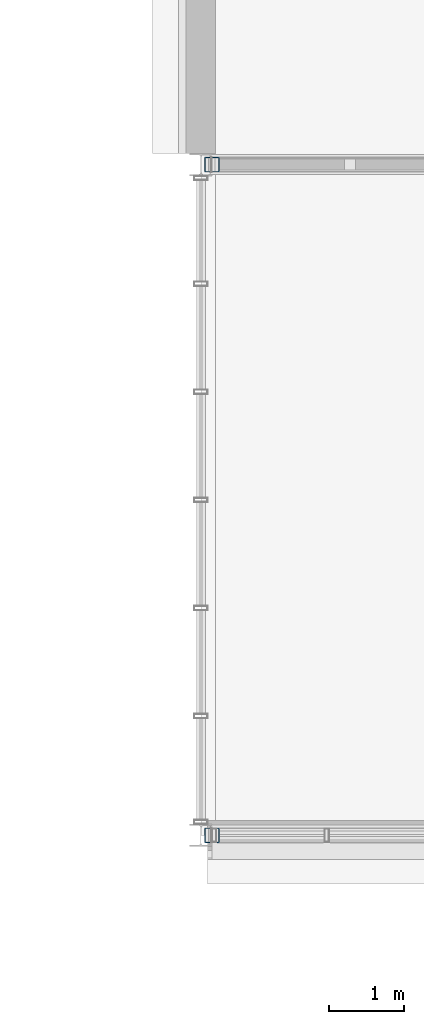
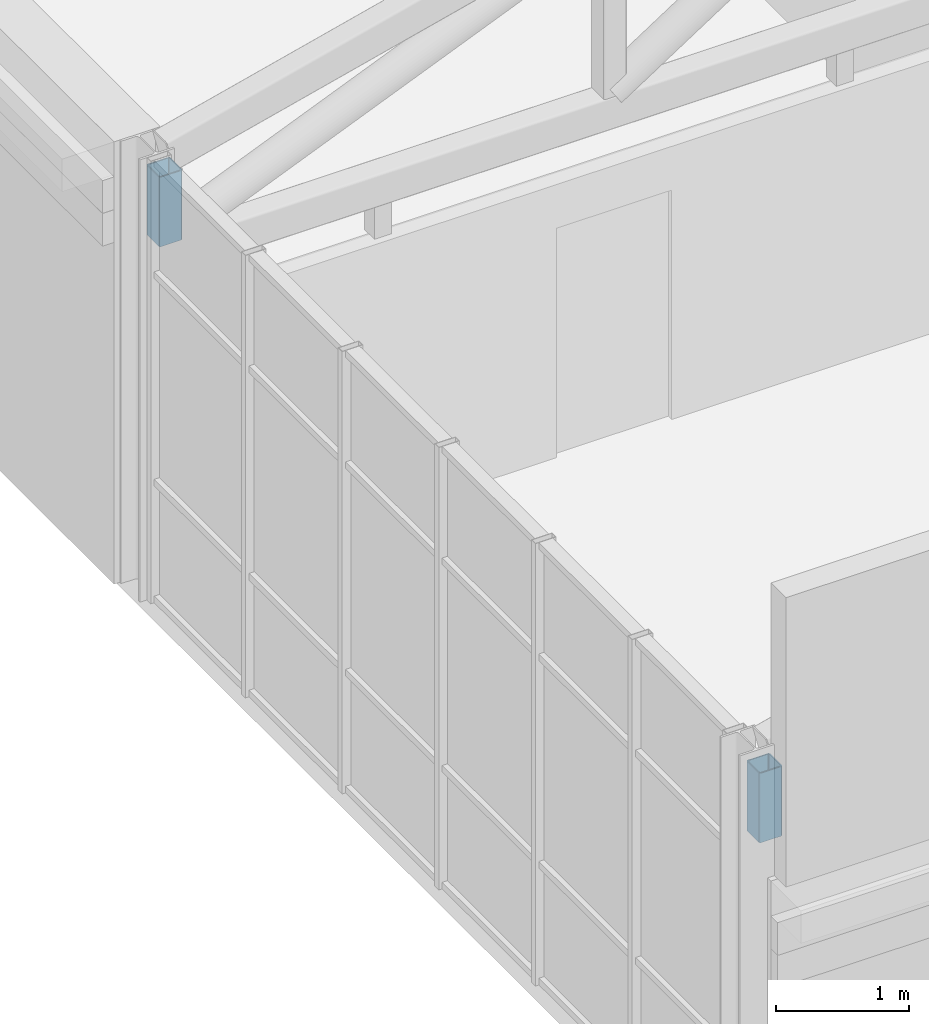
# One storey, part 74 of 149: 2 members.
"""IFC4 building model written with IfcOpenShell, lengths in metres."""

from ifc_helpers import new_model, si_unit, direction, frame, origin, origin_2d, place, context, subcontext, project, spatial, hollow_rectangle, extrude, material, material_profile, profile_set, type_object, element, save


model = new_model("IFC4")

# Units and contexts
model_context = context("Model", 3, precision=1e-05, world=origin(), true_north=direction((0.0, 1.0)))
body_context = subcontext(model_context, "Body", "Model", "MODEL_VIEW")
ifc_project = project(units=[si_unit("LENGTHUNIT", "METRE"), si_unit("AREAUNIT", "SQUARE_METRE"), si_unit("VOLUMEUNIT", "CUBIC_METRE"), si_unit("PLANEANGLEUNIT", "RADIAN"), si_unit("MASSUNIT", "GRAM", prefix="KILO")], contexts=[model_context])

# Site, building, storey
site_placement = place(None, origin())
site = spatial("IfcSite", under=ifc_project, at=site_placement, CompositionType="ELEMENT")
building_placement = place(site_placement, origin())
building = spatial("IfcBuilding", under=site, at=building_placement, Name="Kallimachos Central Library", CompositionType="ELEMENT")
storey_placement = place(building_placement, frame((0.0, 0.0, 9.89990234375)))
storey = spatial("IfcBuildingStorey", under=building, at=storey_placement, Name="L02", CompositionType="ELEMENT", Elevation=9.89990234375)

# Members
ifc_material = material(Name="Steel S355J2H", Category="steel")
ifc_material_profile = material_profile(ifc_material, hollow_rectangle(XDim=0.199951171875, YDim=0.199951171875, WallThickness=0.010009765625, InnerFilletRadius=0.010009765625, OuterFilletRadius=0.014892578125, at=origin_2d()), Name="SHS 200x200x10")
ifc_profile_set = profile_set([ifc_material_profile], Name="Steel S355J2H")
member_type = type_object("IfcMemberType", Name="SHS 200x200x10 truss post", PredefinedType="POST", material=ifc_profile_set)
for number, where, z_axis, x_axis, name in (
    (1, (138.14990234375, 87.0, 3.150146484375), (0.0, 0.0, 1.0), (1.0, 0.0, 0.0), "Truss T1 post 1"),
    (2, (138.14990234375, 96.0, 3.150146484375), (0.0, 0.0, 1.0), (1.0, 0.0, 0.0), "Truss T2 post 1"),
):
    element("IfcMember", number, at=place(storey_placement, frame(where, z_axis=z_axis, x_axis=x_axis)), inside=storey, type_object=member_type, Name=name, PredefinedType="POST", context=body_context, shape_type="SweptSolid", body=[
        extrude(hollow_rectangle(XDim=0.199951171875, YDim=0.199951171875, WallThickness=0.010009765625, InnerFilletRadius=0.010009765625, OuterFilletRadius=0.014892578125, at=origin_2d()), origin(), (0.0, 0.0, 1.0), 0.637451171875),
    ])

save(model, "model.ifc")
